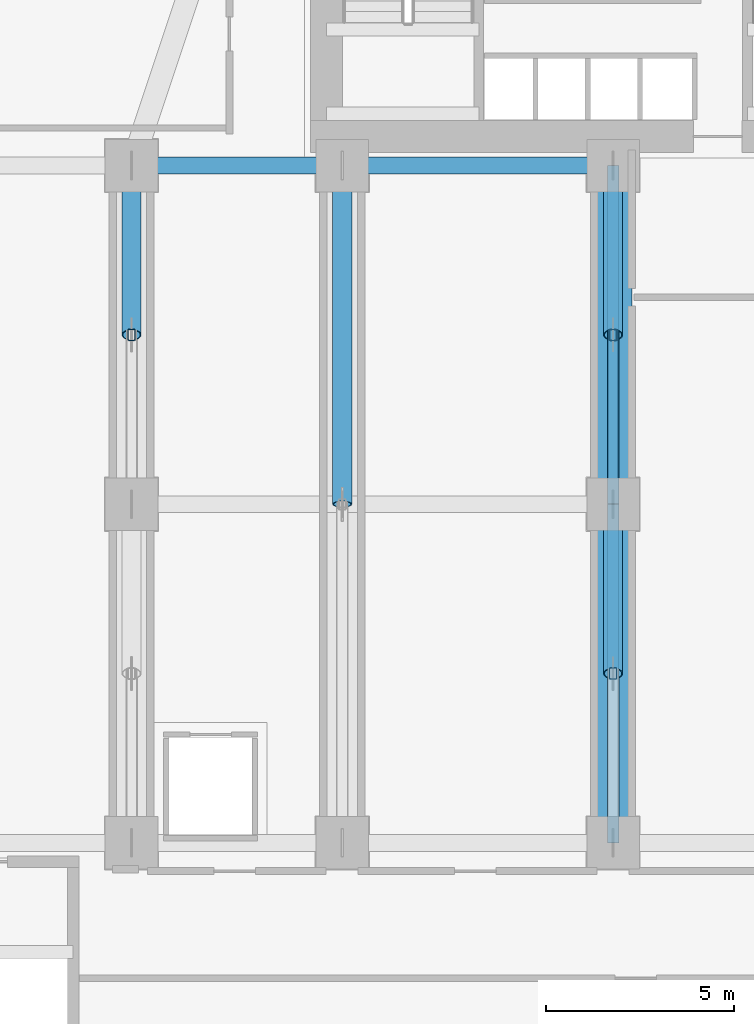
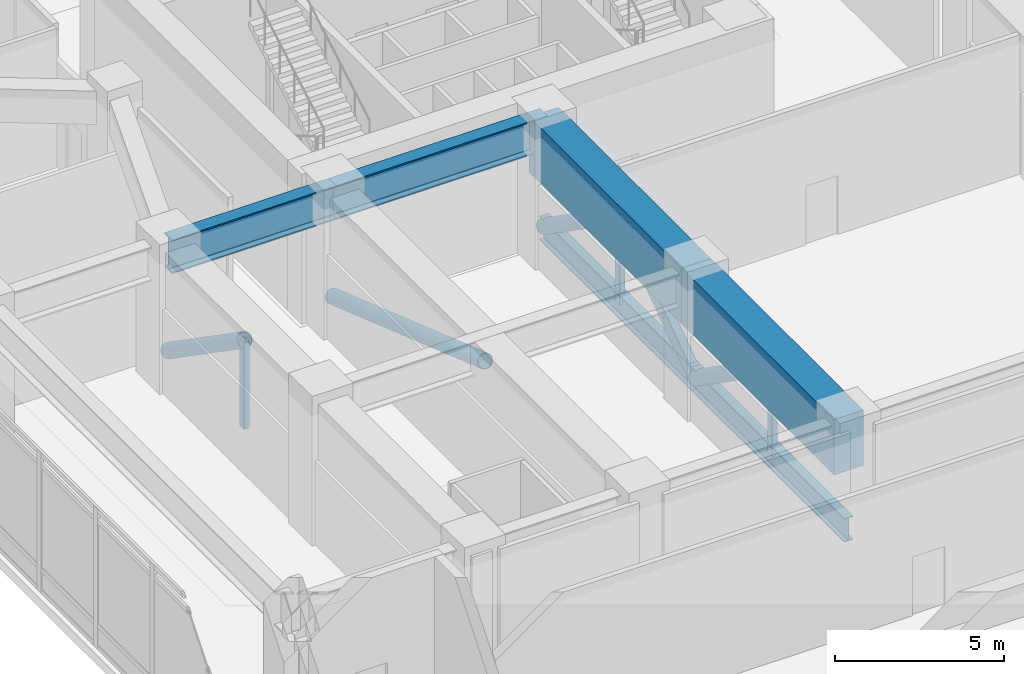
# One storey, part 5 of 21: 8 members, 6 beams.
"""IFC4 building model written with IfcOpenShell, lengths in metres."""

from ifc_helpers import new_model, si_unit, direction, frame, origin, origin_2d, place, context, subcontext, project, spatial, rectangle, hollow_rectangle, hollow_circle, i_section, extrude, source, transform, mapped, material, material_profile, profile_set, type_object, element, save


model = new_model("IFC4")

# Units and contexts
model_context = context("Model", 3, precision=1e-05, world=origin(), true_north=direction((0.0, 1.0)))
body_context = subcontext(model_context, "Body", "Model", "MODEL_VIEW")
ifc_project = project(units=[si_unit("LENGTHUNIT", "METRE"), si_unit("AREAUNIT", "SQUARE_METRE"), si_unit("VOLUMEUNIT", "CUBIC_METRE"), si_unit("PLANEANGLEUNIT", "RADIAN"), si_unit("MASSUNIT", "GRAM", prefix="KILO")], contexts=[model_context])

# Site, building, storey
site_placement = place(None, origin())
site = spatial("IfcSite", under=ifc_project, at=site_placement, CompositionType="ELEMENT")
building_placement = place(site_placement, origin())
building = spatial("IfcBuilding", under=site, at=building_placement, Name="Calvemar Wedge Station Tower", CompositionType="ELEMENT")
storey_placement = place(building_placement, frame((0.0, 0.0, 21.60009765625)))
storey = spatial("IfcBuildingStorey", under=building, at=storey_placement, Name="L05", CompositionType="ELEMENT", Elevation=21.60009765625)

# Beams
ifc_material_1 = material(Name="Structural steel ASTM A572 Grade 50", Category="steel")
ifc_material_profile_1 = material_profile(ifc_material_1, i_section(OverallWidth=0.303955078125, OverallDepth=0.862060546875, WebThickness=0.019775390625, FlangeThickness=0.035888671875, FilletRadius=0.02001953125, at=origin_2d()), Name="W840x329")
ifc_profile_set_1 = profile_set([ifc_material_profile_1], Name="Structural steel ASTM A572 Grade 50")
beam_type_1 = type_object("IfcBeamType", Name="BM-TR2-W840", PredefinedType="BEAM", material=ifc_profile_set_1)
shared_shape_1 = source(origin(), body_context, "Body", "SweptSolid", [
    extrude(i_section(OverallWidth=0.303955078125, OverallDepth=0.862060546875, WebThickness=0.019775390625, FlangeThickness=0.035888671875, FilletRadius=0.02001953125, at=origin_2d()), origin(), (0.0, 0.0, 1.0), 9.0),
])
for number, where, z_axis, x_axis, name in (
    (1, (23.800048828125, 15.0, 0.930908203125), (0.0, 1.0, 0.0), (-1.0, 0.0, 0.0), "Warren Transfer Truss TR3 Bottom Chord 1"),
    (2, (23.800048828125, 24.0, 0.930908203125), (0.0, 1.0, 0.0), (-1.0, 0.0, 0.0), "Warren Transfer Truss TR3 Bottom Chord 2"),
):
    element("IfcBeam", number, at=place(storey_placement, frame(where, z_axis=z_axis, x_axis=x_axis)), inside=storey, type_object=beam_type_1, Name=name, PredefinedType="BEAM", context=body_context, shape_type="MappedRepresentation", body=[
        mapped(shared_shape_1, transform((0.0, 0.0, 0.0), scale=1.0)),
    ])
ifc_material_2 = material(Name="Concrete C70", Category="concrete")
ifc_material_profile_2 = material_profile(ifc_material_2, rectangle(XDim=1.0, YDim=2.0, at=origin_2d()), Name="RC1000x2000")
ifc_profile_set_2 = profile_set([ifc_material_profile_2], Name="Concrete C70")
beam_type_2 = type_object("IfcBeamType", Name="BM-TG1-2000", PredefinedType="BEAM", material=ifc_profile_set_2)
shared_shape_2 = source(origin(), body_context, "Body", "SweptSolid", [
    extrude(rectangle(XDim=1.0, YDim=2.0, at=origin_2d()), origin(), (0.0, 0.0, 1.0), 9.0),
])
for number, where, z_axis, x_axis, name in (
    (3, (23.800048828125, 15.0, 4.0498046875), (0.0, 1.0, 0.0), (-1.0, 0.0, 0.0), "L05 Transfer Girder TG-L05-E1"),
    (4, (23.800048828125, 24.0, 4.0498046875), (0.0, 1.0, 0.0), (-1.0, 0.0, 0.0), "L05 Transfer Girder TG-L05-E2"),
):
    element("IfcBeam", number, at=place(storey_placement, frame(where, z_axis=z_axis, x_axis=x_axis)), inside=storey, type_object=beam_type_2, Name=name, PredefinedType="BEAM", context=body_context, shape_type="MappedRepresentation", body=[
        mapped(shared_shape_2, transform((0.0, 0.0, 0.0), scale=1.0)),
    ])

# Members
ifc_material_profile_3 = material_profile(ifc_material_1, hollow_rectangle(XDim=0.300048828125, YDim=0.5, WallThickness=0.02197265625, InnerFilletRadius=0.02197265625, OuterFilletRadius=0.0439453125, at=origin_2d()), Name="HSS500x300x22")
ifc_profile_set_3 = profile_set([ifc_material_profile_3], Name="Structural steel ASTM A572 Grade 50")
member_type_1 = type_object("IfcMemberType", Name="MEM-D1-HSS500", PredefinedType="BRACE", material=ifc_profile_set_3)
shared_shape_3 = source(origin(), body_context, "Body", "SweptSolid", [
    extrude(hollow_rectangle(XDim=0.300048828125, YDim=0.5, WallThickness=0.02197265625, InnerFilletRadius=0.02197265625, OuterFilletRadius=0.0439453125, at=origin_2d()), origin(), (0.0, 0.0, 1.0), 5.47509765625),
])
member_1_placement = place(storey_placement, frame((23.800048828125, 24.0, 0.930908203125), z_axis=(0.0, 0.821891894139, 0.569643497592), x_axis=(-1.0, 0.0, 0.0)))
element("IfcMember", 5, at=member_1_placement, inside=storey, type_object=member_type_1, Name="Warren Transfer Truss TR3 Diagonal 2A", PredefinedType="BRACE", context=body_context, shape_type="MappedRepresentation", body=[
    mapped(shared_shape_3, transform((0.0, 0.0, 0.0), scale=1.0)),
])
ifc_material_profile_4 = material_profile(ifc_material_1, hollow_circle(Radius=0.25390625, WallThickness=0.02490234375, at=origin_2d()), Name="CHS508x25")
ifc_profile_set_4 = profile_set([ifc_material_profile_4], Name="Structural steel ASTM A572 Grade 50")
member_type_2 = type_object("IfcMemberType", Name="MEM-D2-CHS508", PredefinedType="BRACE", material=ifc_profile_set_4)
shared_shape_4 = source(origin(), body_context, "Body", "SweptSolid", [
    extrude(hollow_circle(Radius=0.25390625, WallThickness=0.02490234375, at=origin_2d()), origin(), (0.0, 0.0, 1.0), 5.47509765625),
])
for number, where, z_axis, x_axis, name in (
    (6, (11.0, 28.5, 4.0498046875), (0.0, 0.821891894139, -0.569643497592), (-1.0, 0.0, 0.0), "Warren Transfer Truss TR1 Diagonal 2B"),
    (7, (23.800048828125, 19.5, 4.0498046875), (0.0, 0.821891894139, -0.569643497592), (-1.0, 0.0, 0.0), "Warren Transfer Truss TR3 Diagonal 1B"),
    (8, (23.800048828125, 28.5, 4.0498046875), (0.0, 0.821891894139, -0.569643497592), (-1.0, 0.0, 0.0), "Warren Transfer Truss TR3 Diagonal 2B"),
):
    element("IfcMember", number, at=place(storey_placement, frame(where, z_axis=z_axis, x_axis=x_axis)), inside=storey, type_object=member_type_2, Name=name, PredefinedType="BRACE", context=body_context, shape_type="MappedRepresentation", body=[
        mapped(shared_shape_4, transform((0.0, 0.0, 0.0), scale=1.0)),
    ])
ifc_material_profile_5 = material_profile(ifc_material_1, hollow_rectangle(XDim=0.199951171875, YDim=0.300048828125, WallThickness=0.013916015625, InnerFilletRadius=0.013916015625, OuterFilletRadius=0.028076171875, at=origin_2d()), Name="HSS300x200x14")
ifc_profile_set_5 = profile_set([ifc_material_profile_5], Name="Structural steel ASTM A572 Grade 50")
member_type_3 = type_object("IfcMemberType", Name="MEM-ST1-HSS300", PredefinedType="STRUT", material=ifc_profile_set_5)
shared_shape_5 = source(origin(), body_context, "Body", "SweptSolid", [
    extrude(hollow_rectangle(XDim=0.199951171875, YDim=0.300048828125, WallThickness=0.013916015625, InnerFilletRadius=0.013916015625, OuterFilletRadius=0.028076171875, at=origin_2d()), origin(), (0.0, 0.0, 1.0), 3.118896484375),
])
for number, where, z_axis, x_axis, name in (
    (9, (11.0, 28.5, 0.930908203125), (0.0, 0.0, 1.0), (1.0, 0.0, 0.0), "Warren Transfer Truss TR1 Web Hanger 2"),
    (10, (23.800048828125, 19.5, 0.930908203125), (0.0, 0.0, 1.0), (1.0, 0.0, 0.0), "Warren Transfer Truss TR3 Web Hanger 1"),
    (11, (23.800048828125, 28.5, 0.930908203125), (0.0, 0.0, 1.0), (1.0, 0.0, 0.0), "Warren Transfer Truss TR3 Web Hanger 2"),
):
    element("IfcMember", number, at=place(storey_placement, frame(where, z_axis=z_axis, x_axis=x_axis)), inside=storey, type_object=member_type_3, Name=name, PredefinedType="STRUT", context=body_context, shape_type="MappedRepresentation", body=[
        mapped(shared_shape_5, transform((0.0, 0.0, 0.0), scale=1.0)),
    ])
shared_shape_6 = source(origin(), body_context, "Body", "SweptSolid", [
    extrude(hollow_circle(Radius=0.25390625, WallThickness=0.02490234375, at=origin_2d()), origin(), (0.0, 0.0, 1.0), 9.525146484375),
])
member_2_placement = place(storey_placement, frame((16.60009765625, 24.0, 4.0498046875), z_axis=(0.0, 0.944872046549, -0.327439789352), x_axis=(-1.0, 0.0, 0.0)))
element("IfcMember", 12, at=member_2_placement, inside=storey, type_object=member_type_2, Name="Warren Transfer Truss TR2 Diagonal 1B", PredefinedType="BRACE", context=body_context, shape_type="MappedRepresentation", body=[
    mapped(shared_shape_6, transform((0.0, 0.0, 0.0), scale=1.0)),
])

# Beams
ifc_material_profile_6 = material_profile(ifc_material_1, i_section(OverallWidth=0.449951171875, OverallDepth=1.219970703125, WebThickness=0.02587890625, FlangeThickness=0.0458984375, FilletRadius=0.02392578125, at=origin_2d()), Name="W1200x540")
ifc_profile_set_6 = profile_set([ifc_material_profile_6], Name="Structural steel ASTM A572 Grade 50")
beam_type_3 = type_object("IfcBeamType", Name="BM-TG3-W1200", PredefinedType="BEAM", material=ifc_profile_set_6)
shared_shape_7 = source(origin(), body_context, "Body", "SweptSolid", [
    extrude(i_section(OverallWidth=0.449951171875, OverallDepth=1.219970703125, WebThickness=0.02587890625, FlangeThickness=0.0458984375, FilletRadius=0.02392578125, at=origin_2d()), origin(), (0.0, 0.0, 1.0), 5.60009765625),
])
beam_1_placement = place(storey_placement, frame((11.0, 33.0, 4.43994140625), z_axis=(1.0, 0.0, 0.0), x_axis=(0.0, 1.0, 0.0)))
element("IfcBeam", 13, at=beam_1_placement, inside=storey, type_object=beam_type_3, Name="L05 Transfer Deck Tie Girder P-CN1-P-CN2", PredefinedType="BEAM", context=body_context, shape_type="MappedRepresentation", body=[
    mapped(shared_shape_7, transform((0.0, 0.0, 0.0), scale=1.0)),
])
shared_shape_8 = source(origin(), body_context, "Body", "SweptSolid", [
    extrude(i_section(OverallWidth=0.449951171875, OverallDepth=1.219970703125, WebThickness=0.02587890625, FlangeThickness=0.0458984375, FilletRadius=0.02392578125, at=origin_2d()), origin(), (0.0, 0.0, 1.0), 7.199951171875),
])
beam_2_placement = place(storey_placement, frame((16.60009765625, 33.0, 4.43994140625), z_axis=(1.0, 0.0, 0.0), x_axis=(0.0, 1.0, 0.0)))
element("IfcBeam", 14, at=beam_2_placement, inside=storey, type_object=beam_type_3, Name="L05 Transfer Deck Tie Girder P-CN2-P-CN3", PredefinedType="BEAM", context=body_context, shape_type="MappedRepresentation", body=[
    mapped(shared_shape_8, transform((0.0, 0.0, 0.0), scale=1.0)),
])

save(model, "model.ifc")
